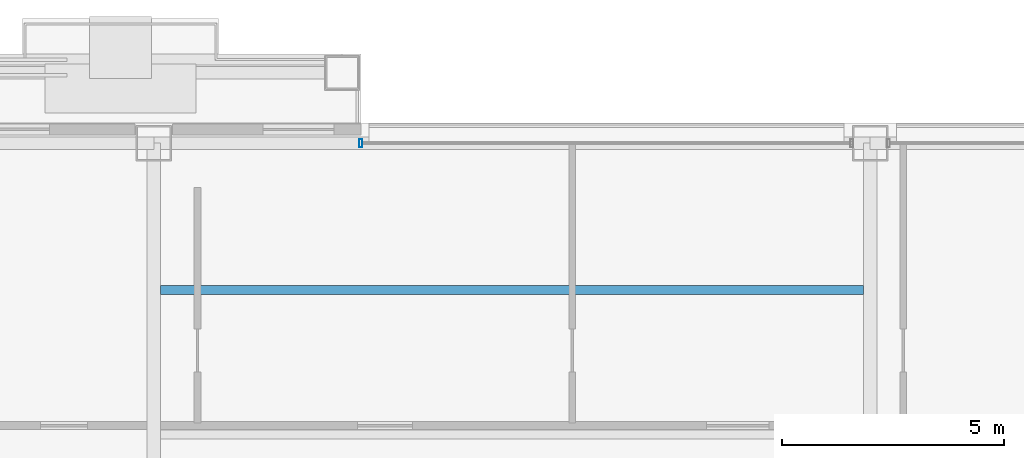
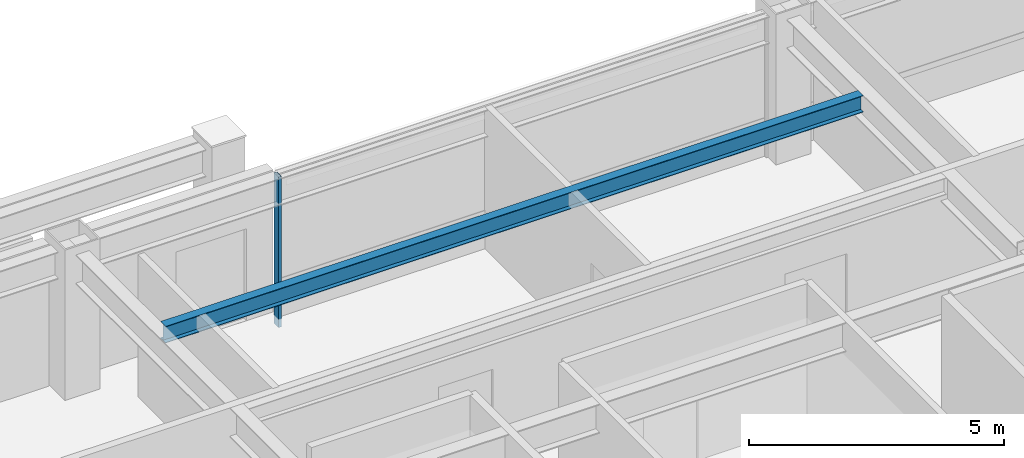
# One storey, part 19 of 29: 1 beam, 1 member, 1 element without a shape of its own.
"""IFC4 building model written with IfcOpenShell, lengths in metres."""

import ifcopenshell
import ifcopenshell.guid

model = None  # the IFC model being written
_history = None  # IfcOwnerHistory: only IFC2X3 demands one
_inside = {}  # id of a spatial element -> (the spatial element, [elements in it])
_under = {}  # id of a project, library or spatial element -> (it, [spatial elements below it])
_declared = {}  # id of a project -> (the project, [libraries it declares])
_typed = {}  # id of a type object -> (the type object, [elements of that type])
_made_of = {}  # id of a material, layer set ... -> (it, [elements and type objects made of it])


def new_model(schema):
    """Start an empty IFC model of exactly this schema.

    Asked for "IFC4X3", IfcOpenShell would pick the latest addendum, in which some entities
    have other attributes; the version numbers below select the first issue.
    IFC2X3 requires an IfcOwnerHistory on every rooted entity: one is made here for all.
    """
    global model, _history
    if schema == "IFC4X3":
        model = ifcopenshell.file(schema_version=(4, 3, 0, 0))
    else:
        model = ifcopenshell.file(schema=schema)
    _inside.clear()
    _under.clear()
    _declared.clear()
    _typed.clear()
    _made_of.clear()
    _history = None
    if model.schema == "IFC2X3":
        org = make("IfcOrganization", Name="unknown")
        user = make(
            "IfcPersonAndOrganization",
            ThePerson=make("IfcPerson", FamilyName="unknown"),
            TheOrganization=org,
        )
        app = make(
            "IfcApplication",
            ApplicationDeveloper=org,
            Version="unknown",
            ApplicationFullName="unknown",
            ApplicationIdentifier="unknown",
        )
        _history = make(
            "IfcOwnerHistory",
            OwningUser=user,
            OwningApplication=app,
            ChangeAction="ADDED",
            CreationDate=0,
        )
    return model


def make(cls, **values):
    """One entity of the class cls with the attributes given. An attribute that is None is left unset."""
    return model.create_entity(
        cls, **{name: value for name, value in values.items() if value is not None}
    )


def rooted(cls, **values):
    """An entity with a GlobalId (a new one), such as an element, a storey or a relation."""
    return make(cls, GlobalId=ifcopenshell.guid.new(), OwnerHistory=_history, **values)


def si_unit(unit_type, name, prefix=None):
    """IfcSIUnit, for example si_unit("LENGTHUNIT", "METRE", prefix="MILLI")."""
    return make("IfcSIUnit", UnitType=unit_type, Prefix=prefix, Name=name)


def assignment(units):
    """IfcUnitAssignment: the units of a project."""
    return None if units is None else make("IfcUnitAssignment", Units=units)


def point(xyz):
    """IfcCartesianPoint."""
    return None if xyz is None else make("IfcCartesianPoint", Coordinates=xyz)


def direction(xyz):
    """IfcDirection."""
    return None if xyz is None else make("IfcDirection", DirectionRatios=xyz)


def frame(location, z_axis=None, x_axis=None):
    """IfcAxis2Placement3D, a coordinate frame: its origin and axes. An axis left out is left unset."""
    return make(
        "IfcAxis2Placement3D",
        Location=point(location),
        Axis=direction(z_axis),
        RefDirection=direction(x_axis),
    )


def frame_2d(location, x_axis=None):
    """IfcAxis2Placement2D, a coordinate frame in the plane: its origin and x axis."""
    return make(
        "IfcAxis2Placement2D", Location=point(location), RefDirection=direction(x_axis)
    )


def origin():
    """The frame at (0, 0, 0) with its axes left unset."""
    return frame((0.0, 0.0, 0.0))


def origin_2d():
    """The frame at (0, 0) in the plane with its x axis left unset."""
    return frame_2d((0.0, 0.0))


def place(relative_to, where):
    """IfcLocalPlacement: puts the frame where relative to a parent placement (None: the world)."""
    return make(
        "IfcLocalPlacement", PlacementRelTo=relative_to, RelativePlacement=where
    )


def context(
    kind, dimensions, precision=None, world=None, true_north=None, identifier=None
):
    """IfcGeometricRepresentationContext, for example the 3D "Model" context."""
    return make(
        "IfcGeometricRepresentationContext",
        ContextIdentifier=identifier,
        ContextType=kind,
        CoordinateSpaceDimension=dimensions,
        Precision=precision,
        WorldCoordinateSystem=world,
        TrueNorth=true_north,
    )


def subcontext(parent, identifier, kind, view, scale=None):
    """IfcGeometricRepresentationSubContext, for example "Body" below "Model"."""
    return make(
        "IfcGeometricRepresentationSubContext",
        ContextIdentifier=identifier,
        ContextType=kind,
        ParentContext=parent,
        TargetScale=scale,
        TargetView=view,
    )


def project(units=None, contexts=None):
    """IfcProject with its units and contexts."""
    return rooted(
        "IfcProject",
        Name="project",
        RepresentationContexts=contexts,
        UnitsInContext=assignment(units),
    )


def spatial(cls, under=None, at=None, **own):
    """A site, building, storey or space (cls), placed at a placement, below another one or the project."""
    s = rooted(cls, ObjectPlacement=at, **own)
    if under is not None:
        _under.setdefault(under.id(), (under, []))[1].append(s)
    return s


def profile(cls, at=None, kind="AREA", **sizes):
    """A parametric profile (cls). Its sizes go by their IFC names, for example OverallWidth=200.0."""
    return make(cls, ProfileType=kind, Position=at, **sizes)


def hollow_rectangle(**sizes):
    """IfcRectangleHollowProfileDef."""
    return profile("IfcRectangleHollowProfileDef", **sizes)


def i_section(**sizes):
    """IfcIShapeProfileDef."""
    return profile("IfcIShapeProfileDef", **sizes)


def extrude(swept, where, along, depth):
    """IfcExtrudedAreaSolid: the profile swept, set in the frame where, extruded along a direction by depth."""
    return make(
        "IfcExtrudedAreaSolid",
        SweptArea=swept,
        Position=where,
        ExtrudedDirection=direction(along),
        Depth=depth,
    )


def shape(context_of_items, identifier, shape_type, items):
    """IfcShapeRepresentation: the items that make up one representation, for example the "Body"."""
    return make(
        "IfcShapeRepresentation",
        ContextOfItems=context_of_items,
        RepresentationIdentifier=identifier,
        RepresentationType=shape_type,
        Items=items,
    )


def material(Name=None, Category=None):
    """IfcMaterial."""
    return make("IfcMaterial", Name=Name, Category=Category)


def layer(
    of_material, thickness, ventilated=None, Name=None, Category=None, Priority=None
):
    """IfcMaterialLayer: one layer of a wall or slab, of a material (None: an air gap)."""
    return make(
        "IfcMaterialLayer",
        Material=of_material,
        LayerThickness=thickness,
        IsVentilated=ventilated,
        Name=Name,
        Category=Category,
        Priority=Priority,
    )


def layer_set(layers, Name=None):
    """IfcMaterialLayerSet."""
    return make("IfcMaterialLayerSet", MaterialLayers=layers, LayerSetName=Name)


def material_profile(
    of_material, cross_section, Name=None, Category=None, Priority=None
):
    """IfcMaterialProfile: a cross section and its material."""
    return make(
        "IfcMaterialProfile",
        Name=Name,
        Material=of_material,
        Profile=cross_section,
        Priority=Priority,
        Category=Category,
    )


def profile_set(profiles, Name=None, composite=None):
    """IfcMaterialProfileSet."""
    return make(
        "IfcMaterialProfileSet",
        Name=Name,
        MaterialProfiles=profiles,
        CompositeProfile=composite,
    )


def made_of(thing, what):
    """Note that an element or type object is made of a material, layer set ...; save() writes the relation."""
    if what is not None:
        _made_of.setdefault(what.id(), (what, []))[1].append(thing)
    return thing


def type_object(cls, material=None, **own):
    """A type object (cls), such as IfcWallType, which elements share."""
    return made_of(rooted(cls, **own), material)


def element(
    cls,
    number,
    at=None,
    inside=None,
    cuts=None,
    type_object=None,
    material=None,
    context=None,
    identifier="Body",
    shape_type=None,
    held_by="IfcProductDefinitionShape",
    body=None,
    shapes=None,
    **own,
):
    """One element of the class cls, such as IfcWall. Its Tag is "e" and its number.

    at: its placement. inside: the storey or other place that contains it. cuts: it is an
    opening in that element (IfcRelVoidsElement). A single representation is given by context,
    identifier, shape_type and body (its items); several are given by shapes. held_by: the class
    of the entity that holds the representations. save() writes the other relations.
    """
    e = rooted(cls, Tag="e%d" % number, ObjectPlacement=at, **own)
    if body is not None:
        shapes = [shape(context, identifier, shape_type, body)]
    if shapes is not None:
        e.Representation = make(held_by, Representations=shapes)
    if inside is not None:
        _inside.setdefault(inside.id(), (inside, []))[1].append(e)
    if cuts is not None:
        rooted(
            "IfcRelVoidsElement", RelatingBuildingElement=cuts, RelatedOpeningElement=e
        )
    if type_object is not None:
        _typed.setdefault(type_object.id(), (type_object, []))[1].append(e)
    return made_of(e, material)


def aggregate(whole, parts):
    """IfcRelAggregates: a whole, such as a stair, and the parts it consists of."""
    return rooted("IfcRelAggregates", RelatingObject=whole, RelatedObjects=parts)


def save(model, path):
    """Write the relations noted so far, then the file.

    IfcRelAggregates (storeys below a building ...), IfcRelContainedInSpatialStructure (elements
    in a storey), IfcRelDefinesByType, IfcRelAssociatesMaterial and IfcRelDeclares: one each for
    every whole, place, type object, material and project.
    """
    for whole, parts in _under.values():
        aggregate(whole, parts)
    for where, things in _inside.values():
        rooted(
            "IfcRelContainedInSpatialStructure",
            RelatedElements=things,
            RelatingStructure=where,
        )
    for kind, things in _typed.values():
        rooted("IfcRelDefinesByType", RelatedObjects=things, RelatingType=kind)
    for what, things in _made_of.values():
        rooted("IfcRelAssociatesMaterial", RelatedObjects=things, RelatingMaterial=what)
    for by, libraries in _declared.values():
        rooted("IfcRelDeclares", RelatingContext=by, RelatedDefinitions=libraries)
    model.write(path)


model = new_model("IFC4")

# Units and contexts
model_context = context("Model", 3, precision=1e-05, world=origin(), true_north=direction((0.0, 1.0)))
body_context = subcontext(model_context, "Body", "Model", "MODEL_VIEW")
ifc_project = project(units=[si_unit("LENGTHUNIT", "METRE"), si_unit("AREAUNIT", "SQUARE_METRE"), si_unit("VOLUMEUNIT", "CUBIC_METRE"), si_unit("PLANEANGLEUNIT", "RADIAN"), si_unit("MASSUNIT", "GRAM", prefix="KILO")], contexts=[model_context])

# Site, building, storey
site_placement = place(None, origin())
site = spatial("IfcSite", under=ifc_project, at=site_placement, CompositionType="ELEMENT")
building_placement = place(site_placement, origin())
building = spatial("IfcBuilding", under=site, at=building_placement, Name="Brelmoor Portico Tower", CompositionType="ELEMENT")
storey_placement = place(building_placement, frame((0.0, 0.0, 138.60009765625)))
storey = spatial("IfcBuildingStorey", under=building, at=storey_placement, Name="L36", CompositionType="ELEMENT", Elevation=138.60009765625)

# Beam
ifc_material_1 = material(Name="Steel Q355B", Category="steel")
ifc_material_profile_1 = material_profile(ifc_material_1, i_section(OverallWidth=0.199951171875, OverallDepth=0.39990234375, WebThickness=0.008056640625, FlangeThickness=0.012939453125, at=origin_2d()), Name="HN 400x200x8x13")
ifc_profile_set_1 = profile_set([ifc_material_profile_1], Name="Steel Q355B")
beam_type = type_object("IfcBeamType", Name="BM-JS-400", PredefinedType="JOIST", material=ifc_profile_set_1)
beam_placement = place(storey_placement, frame((-7.89990234375, 16.25, 3.199951171875), z_axis=(1.0, 0.0, 0.0), x_axis=(0.0, 1.0, 0.0)))
element("IfcBeam", 1, at=beam_placement, inside=storey, type_object=beam_type, Name="L36 Secondary Composite Joist JS-C04", PredefinedType="JOIST", context=body_context, shape_type="SweptSolid", body=[
    extrude(i_section(OverallWidth=0.199951171875, OverallDepth=0.39990234375, WebThickness=0.008056640625, FlangeThickness=0.012939453125, at=origin_2d()), origin(), (0.0, 0.0, 1.0), 15.7998046875),
])

# Curtain wall, member
ifc_material_2 = material(Name="Anodised Aluminium Alloy 6063-T6", Category="aluminium")
ifc_layer = layer(ifc_material_2, 0.179931640625)
ifc_layer_set = layer_set([ifc_layer], Name="Anodised Aluminium Alloy 6063-T6")
curtain_wall_type = type_object("IfcCurtainWallType", Name="CW-TOWER-Z2", PredefinedType="NOTDEFINED", material=ifc_layer_set)
curtain_wall_placement = place(storey_placement, origin())
curtain_wall = element("IfcCurtainWall", 2, at=curtain_wall_placement, inside=storey, type_object=curtain_wall_type, Name="L36 Curtain Wall CW-L36-2R-1", PredefinedType="NOTDEFINED")
ifc_material_profile_2 = material_profile(ifc_material_2, hollow_rectangle(XDim=0.06494140625, YDim=0.179931640625, WallThickness=0.00390625, at=origin_2d()), Name="ALU MULLION 65x180")
ifc_profile_set_2 = profile_set([ifc_material_profile_2], Name="Anodised Aluminium Alloy 6063-T6")
member_type = type_object("IfcMemberType", Name="MB-CW-MULL-180", PredefinedType="MULLION", material=ifc_profile_set_2)
member_placement = place(storey_placement, frame((-3.39990234375, 19.550048828125, -0.2001953125), z_axis=(0.0, 0.0, 1.0), x_axis=(1.0, 0.0, 0.0)))
member = element("IfcMember", 3, at=member_placement, type_object=member_type, Name="CW-L36-2R-1 Mullion 00", PredefinedType="MULLION", context=body_context, shape_type="SweptSolid", body=[
    extrude(hollow_rectangle(XDim=0.06494140625, YDim=0.179931640625, WallThickness=0.00390625, at=origin_2d()), origin(), (0.0, 0.0, 1.0), 3.60009765625),
])
aggregate(curtain_wall, [member])

save(model, "model.ifc")
